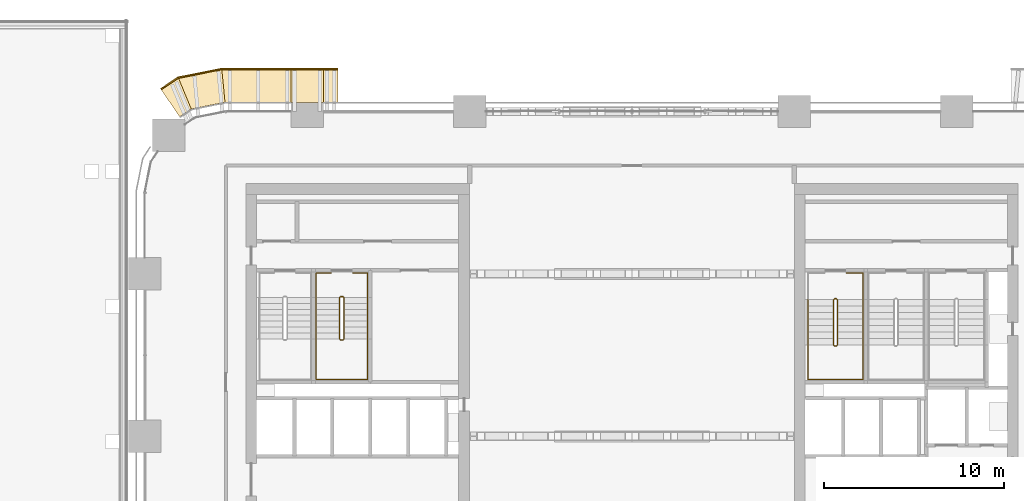
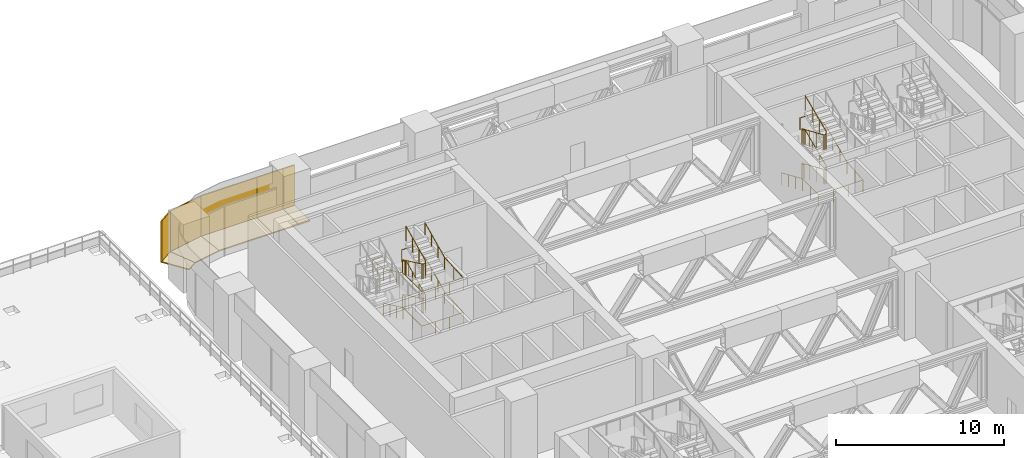
# One storey, part 33 of 35: 10 coverings, 5 railings.
"""IFC4 building model written with IfcOpenShell, lengths in metres."""

from ifc_helpers import new_model, si_unit, direction, frame, origin, origin_2d, place, context, subcontext, project, spatial, polyline, rectangle, circle, outline, extrude, material, layer, layer_set, type_object, element, save


model = new_model("IFC4")

# Units and contexts
model_context = context("Model", 3, precision=1e-05, world=origin(), true_north=direction((0.0, 1.0)))
body_context = subcontext(model_context, "Body", "Model", "MODEL_VIEW")
ifc_project = project(units=[si_unit("LENGTHUNIT", "METRE"), si_unit("AREAUNIT", "SQUARE_METRE"), si_unit("VOLUMEUNIT", "CUBIC_METRE"), si_unit("PLANEANGLEUNIT", "RADIAN"), si_unit("MASSUNIT", "GRAM", prefix="KILO")], contexts=[model_context])

# Site, building, storey
site_placement = place(None, origin())
site = spatial("IfcSite", under=ifc_project, at=site_placement, CompositionType="ELEMENT")
building_placement = place(site_placement, origin())
building = spatial("IfcBuilding", under=site, at=building_placement, Name="Tessera Arch", CompositionType="ELEMENT")
storey_placement = place(building_placement, frame((0.0, 0.0, 26.0)))
storey = spatial("IfcBuildingStorey", under=building, at=storey_placement, Name="L04", CompositionType="ELEMENT", Elevation=26.0)

# Coverings
ifc_material_1 = material(Name="Anodised aluminium pale metal", Category="aluminium")
ifc_layer_1 = layer(ifc_material_1, 0.080078125)
ifc_layer_set_1 = layer_set([ifc_layer_1], Name="Podium cornice fascia pale metal")
covering_type_1 = type_object("IfcCoveringType", Name="Podium cornice fascia pale metal", PredefinedType="CLADDING", material=ifc_layer_set_1)
covering_1_placement = place(storey_placement, frame((10.300048828125, 56.360107421875, 0.0), z_axis=(0.0, 0.0, 1.0), x_axis=(-1.0, 0.0, 0.0)))
element("IfcCovering", 1, at=covering_1_placement, inside=storey, type_object=covering_type_1, Name="Podium cornice fascia 23", PredefinedType="CLADDING", context=body_context, shape_type="SweptSolid", body=[
    extrude(rectangle(XDim=0.800048828125, YDim=0.080078125, at=origin_2d()), origin(), (0.0, 0.0, 1.0), 3.0),
])
covering_2_placement = place(storey_placement, frame((9.0, 56.360107421875, 0.0), z_axis=(0.0, 0.0, 1.0), x_axis=(-1.0, 0.0, 0.0)))
element("IfcCovering", 2, at=covering_2_placement, inside=storey, type_object=covering_type_1, Name="Podium cornice fascia 24", PredefinedType="CLADDING", context=body_context, shape_type="SweptSolid", body=[
    extrude(rectangle(XDim=1.800048828125, YDim=0.080078125, at=origin_2d()), origin(), (0.0, 0.0, 1.0), 3.0),
])
covering_3_placement = place(storey_placement, frame((6.181884765625, 56.360107421875, 0.0), z_axis=(0.0, 0.0, 1.0), x_axis=(-1.0, 0.0, 0.0)))
element("IfcCovering", 3, at=covering_3_placement, inside=storey, type_object=covering_type_1, Name="Podium cornice fascia 25", PredefinedType="CLADDING", context=body_context, shape_type="SweptSolid", body=[
    extrude(rectangle(XDim=3.836181640625, YDim=0.080078125, at=origin_2d()), origin(), (0.0, 0.0, 1.0), 3.0),
])
covering_4_placement = place(storey_placement, frame((3.056396484375, 56.119384765625, 0.0), z_axis=(0.0, 0.0, 1.0), x_axis=(-0.980790400576, -0.195064579403, 0.0)))
element("IfcCovering", 4, at=covering_4_placement, inside=storey, type_object=covering_type_1, Name="Podium cornice fascia 26", PredefinedType="CLADDING", context=body_context, shape_type="SweptSolid", body=[
    extrude(rectangle(XDim=2.4697265625, YDim=0.080078125, at=origin_2d()), origin(), (0.0, 0.0, 1.0), 3.0),
])
covering_5_placement = place(storey_placement, frame((1.378173828125, 55.5615234375, 0.0), z_axis=(0.0, 0.0, 1.0), x_axis=(-0.831410080669, -0.555659318073, 0.0)))
element("IfcCovering", 5, at=covering_5_placement, inside=storey, type_object=covering_type_1, Name="Podium cornice fascia 27", PredefinedType="CLADDING", context=body_context, shape_type="SweptSolid", body=[
    extrude(rectangle(XDim=1.15087890625, YDim=0.080078125, at=origin_2d()), origin(), (0.0, 0.0, 1.0), 3.0),
])
ifc_material_2 = material(Name="Anodised aluminium pale metal", Category="aluminium")
ifc_layer_2 = layer(ifc_material_2, 0.080078125)
ifc_layer_set_2 = layer_set([ifc_layer_2], Name="Podium cornice soffit pale metal")
covering_type_2 = type_object("IfcCoveringType", Name="Podium cornice soffit pale metal", PredefinedType="CLADDING", material=ifc_layer_set_2)
covering_6_placement = place(storey_placement, origin())
element("IfcCovering", 6, at=covering_6_placement, inside=storey, type_object=covering_type_2, Name="Podium cornice soffit 23", PredefinedType="CLADDING", context=body_context, shape_type="SweptSolid", body=[
    extrude(outline(polyline([(10.699951171875, 56.320068359375), (9.89990234375, 56.320068359375), (9.89990234375, 54.510009765625), (10.699951171875, 54.510009765625), (10.699951171875, 56.320068359375)])), origin(), (0.0, 0.0, 1.0), 0.080078125),
])
covering_7_placement = place(storey_placement, origin())
element("IfcCovering", 7, at=covering_7_placement, inside=storey, type_object=covering_type_2, Name="Podium cornice soffit 24", PredefinedType="CLADDING", context=body_context, shape_type="SweptSolid", body=[
    extrude(outline(polyline([(9.89990234375, 56.320068359375), (8.10009765625, 56.320068359375), (8.10009765625, 54.510009765625), (9.89990234375, 54.510009765625), (9.89990234375, 56.320068359375)])), origin(), (0.0, 0.0, 1.0), 0.080078125),
])
covering_8_placement = place(storey_placement, origin())
element("IfcCovering", 8, at=covering_8_placement, inside=storey, type_object=covering_type_2, Name="Podium cornice soffit 25", PredefinedType="CLADDING", context=body_context, shape_type="SweptSolid", body=[
    extrude(outline(polyline([(8.10009765625, 56.320068359375), (4.263671875, 56.320068359375), (4.44970703125, 54.510009765625), (8.10009765625, 54.510009765625), (8.10009765625, 56.320068359375)])), origin(), (0.0, 0.0, 1.0), 0.080078125),
])
covering_9_placement = place(storey_placement, origin())
element("IfcCovering", 9, at=covering_9_placement, inside=storey, type_object=covering_type_2, Name="Podium cornice soffit 26", PredefinedType="CLADDING", context=body_context, shape_type="SweptSolid", body=[
    extrude(outline(polyline([(4.271484375, 56.3203125), (1.84912109375, 55.838623046875), (2.578857421875, 54.137939453125), (4.44970703125, 54.510009765625), (4.271484375, 56.3203125)])), origin(), (0.0, 0.0, 1.0), 0.080078125),
])
covering_10_placement = place(storey_placement, origin())
element("IfcCovering", 10, at=covering_10_placement, inside=storey, type_object=covering_type_2, Name="Podium cornice soffit 27", PredefinedType="CLADDING", context=body_context, shape_type="SweptSolid", body=[
    extrude(outline(polyline([(1.8720703125, 55.84423828125), (0.9150390625, 55.204833984375), (1.9345703125, 53.707275390625), (2.578857421875, 54.137939453125), (1.8720703125, 55.84423828125)])), origin(), (0.0, 0.0, 1.0), 0.080078125),
])

# Railings
ifc_material_3 = material(Name="Painted steel balustrade", Category="steel")
railing_type_1 = type_object("IfcRailingType", Name="Stair guard 1100", PredefinedType="GUARDRAIL", material=ifc_material_3)
railing_1_placement = place(storey_placement, frame((38.219970703125, 43.6298828125, 0.0)))
element("IfcRailing", 11, at=railing_1_placement, inside=storey, type_object=railing_type_1, Name="L04 S1a stair guard 1", PredefinedType="GUARDRAIL", context=body_context, shape_type="SweptSolid", body=[
    extrude(circle(Radius=0.02392578125, at=origin_2d()), frame((-0.00390625, 0.0, 1.076171875), z_axis=(1.0, 0.0, 0.0), x_axis=(0.0, 1.0, 0.0)), (0.0, 0.0, 1.0), 0.1181640625),
    extrude(circle(Radius=0.02392578125, at=origin_2d()), frame((0.11279296875, 0.0009765625, 1.0732421875), z_axis=(-0.698682510115, -0.217273219609, 0.681641473283), x_axis=(0.296948579431, -0.954893471113, 0.0)), (0.0, 0.0, 1.0), 0.2373046875),
    extrude(circle(Radius=0.02392578125, at=origin_2d()), frame((-0.050048828125, -0.046142578125, 1.230712890625), z_axis=(0.0, -0.917324189904, 0.398141093855), x_axis=(1.0, 0.0, 0.0)), (0.0, 0.0, 1.0), 2.755126953125),
    extrude(circle(Radius=0.02392578125, at=origin_2d()), frame((-0.052978515625, -2.56689453125, 2.326171875), z_axis=(0.707106781187, -0.707106781187, 0.0), x_axis=(0.707106781187, 0.707106781187, 0.0)), (0.0, 0.0, 1.0), 0.078857421875),
    extrude(circle(Radius=0.02392578125, at=origin_2d()), frame((-0.00390625, -2.619873046875, 2.326171875), z_axis=(1.0, 0.0, 0.0), x_axis=(0.0, 1.0, 0.0)), (0.0, 0.0, 1.0), 0.1181640625),
    extrude(circle(Radius=0.02392578125, at=origin_2d()), frame((0.10888671875, -2.62109375, 2.322509765625), z_axis=(0.290469530425, 0.291893400672, 0.911276958196), x_axis=(-0.708833529934, 0.705375805398, 0.0)), (0.0, 0.0, 1.0), 0.179443359375),
    extrude(circle(Radius=0.02392578125, at=origin_2d()), frame((0.159912109375, -2.573486328125, 2.480712890625), z_axis=(0.0, 0.917324189904, 0.398141093855), x_axis=(-1.0, 0.0, 0.0)), (0.0, 0.0, 1.0), 2.755126953125),
    extrude(circle(Radius=0.02392578125, at=origin_2d()), frame((0.163818359375, -0.051025390625, 3.576171875), z_axis=(-0.954764847777, 0.297361876254, 0.0), x_axis=(-0.297361876254, -0.954764847777, 0.0)), (0.0, 0.0, 1.0), 0.175537109375),
    extrude(circle(Radius=0.02392578125, at=origin_2d()), frame((-0.00390625, 0.0, 3.576171875), z_axis=(1.0, 0.0, 0.0), x_axis=(0.0, 1.0, 0.0)), (0.0, 0.0, 1.0), 0.1181640625),
    extrude(circle(Radius=0.02392578125, at=origin_2d()), frame((0.11279296875, 0.0009765625, 3.5732421875), z_axis=(-0.698682510115, -0.217273219609, 0.681641473283), x_axis=(0.296948579431, -0.954893471113, 0.0)), (0.0, 0.0, 1.0), 0.2373046875),
    extrude(circle(Radius=0.02392578125, at=origin_2d()), frame((-0.050048828125, -0.046142578125, 3.730712890625), z_axis=(0.0, -0.917324189904, 0.398141093855), x_axis=(1.0, 0.0, 0.0)), (0.0, 0.0, 1.0), 2.755126953125),
    extrude(circle(Radius=0.02392578125, at=origin_2d()), frame((-0.052978515625, -2.56689453125, 4.826171875), z_axis=(0.707106781187, -0.707106781187, 0.0), x_axis=(0.707106781187, 0.707106781187, 0.0)), (0.0, 0.0, 1.0), 0.078857421875),
    extrude(circle(Radius=0.02392578125, at=origin_2d()), frame((-0.00390625, -2.619873046875, 4.826171875), z_axis=(1.0, 0.0, 0.0), x_axis=(0.0, 1.0, 0.0)), (0.0, 0.0, 1.0), 0.1181640625),
    extrude(circle(Radius=0.02392578125, at=origin_2d()), frame((0.10888671875, -2.62109375, 4.822509765625), z_axis=(0.290469530425, 0.291893400672, 0.911276958196), x_axis=(-0.708833529934, 0.705375805398, 0.0)), (0.0, 0.0, 1.0), 0.179443359375),
    extrude(circle(Radius=0.02392578125, at=origin_2d()), frame((0.159912109375, -2.573486328125, 4.980712890625), z_axis=(0.0, 0.917324189904, 0.398141093855), x_axis=(-1.0, 0.0, 0.0)), (0.0, 0.0, 1.0), 2.755126953125),
    extrude(circle(Radius=0.02099609375, at=origin_2d()), origin(), (0.0, 0.0, 1.0), 1.06396484375),
    extrude(circle(Radius=0.02099609375, at=origin_2d()), frame((0.110107421875, 0.0, 0.0)), (0.0, 0.0, 1.0), 1.06396484375),
    extrude(circle(Radius=0.02099609375, at=origin_2d()), frame((-0.050048828125, -0.0498046875, 0.15625)), (0.0, 0.0, 1.0), 1.06396484375),
    extrude(circle(Radius=0.02099609375, at=origin_2d()), frame((-0.050048828125, -0.889892578125, 0.520751953125)), (0.0, 0.0, 1.0), 1.06396484375),
    extrude(circle(Radius=0.02099609375, at=origin_2d()), frame((-0.050048828125, -1.729736328125, 0.885498046875)), (0.0, 0.0, 1.0), 1.06396484375),
    extrude(circle(Radius=0.02099609375, at=origin_2d()), frame((-0.050048828125, -2.56982421875, 1.25)), (0.0, 0.0, 1.0), 1.06396484375),
    extrude(circle(Radius=0.02099609375, at=origin_2d()), frame((0.0, -2.619873046875, 1.25)), (0.0, 0.0, 1.0), 1.06396484375),
    extrude(circle(Radius=0.02099609375, at=origin_2d()), frame((0.110107421875, -2.619873046875, 1.25)), (0.0, 0.0, 1.0), 1.06396484375),
    extrude(circle(Radius=0.02099609375, at=origin_2d()), frame((0.159912109375, -2.56982421875, 1.40625)), (0.0, 0.0, 1.0), 1.06396484375),
    extrude(circle(Radius=0.02099609375, at=origin_2d()), frame((0.159912109375, -1.729736328125, 1.770751953125)), (0.0, 0.0, 1.0), 1.06396484375),
    extrude(circle(Radius=0.02099609375, at=origin_2d()), frame((0.159912109375, -0.889892578125, 2.135498046875)), (0.0, 0.0, 1.0), 1.06396484375),
    extrude(circle(Radius=0.02099609375, at=origin_2d()), frame((0.159912109375, -0.0498046875, 2.5)), (0.0, 0.0, 1.0), 1.06396484375),
    extrude(circle(Radius=0.02099609375, at=origin_2d()), frame((0.0, 0.0, 2.5)), (0.0, 0.0, 1.0), 1.06396484375),
    extrude(circle(Radius=0.02099609375, at=origin_2d()), frame((0.110107421875, 0.0, 2.5)), (0.0, 0.0, 1.0), 1.06396484375),
    extrude(circle(Radius=0.02099609375, at=origin_2d()), frame((-0.050048828125, -0.0498046875, 2.65625)), (0.0, 0.0, 1.0), 1.06396484375),
    extrude(circle(Radius=0.02099609375, at=origin_2d()), frame((-0.050048828125, -0.889892578125, 3.020751953125)), (0.0, 0.0, 1.0), 1.06396484375),
    extrude(circle(Radius=0.02099609375, at=origin_2d()), frame((-0.050048828125, -1.729736328125, 3.385498046875)), (0.0, 0.0, 1.0), 1.06396484375),
    extrude(circle(Radius=0.02099609375, at=origin_2d()), frame((-0.050048828125, -2.56982421875, 3.75)), (0.0, 0.0, 1.0), 1.06396484375),
    extrude(circle(Radius=0.02099609375, at=origin_2d()), frame((0.0, -2.619873046875, 3.75)), (0.0, 0.0, 1.0), 1.06396484375),
    extrude(circle(Radius=0.02099609375, at=origin_2d()), frame((0.110107421875, -2.619873046875, 3.75)), (0.0, 0.0, 1.0), 1.06396484375),
    extrude(circle(Radius=0.02099609375, at=origin_2d()), frame((0.159912109375, -2.56982421875, 3.90625)), (0.0, 0.0, 1.0), 1.06396484375),
    extrude(circle(Radius=0.02099609375, at=origin_2d()), frame((0.159912109375, -1.729736328125, 4.270751953125)), (0.0, 0.0, 1.0), 1.06396484375),
    extrude(circle(Radius=0.02099609375, at=origin_2d()), frame((0.159912109375, -0.889892578125, 4.635498046875)), (0.0, 0.0, 1.0), 1.06396484375),
    extrude(circle(Radius=0.02099609375, at=origin_2d()), frame((0.159912109375, -0.0498046875, 5.0)), (0.0, 0.0, 1.0), 1.06396484375),
])
railing_2_placement = place(storey_placement, frame((10.85009765625, 43.75, 0.0)))
element("IfcRailing", 12, at=railing_2_placement, inside=storey, type_object=railing_type_1, Name="L04 S2b stair guard 1", PredefinedType="GUARDRAIL", context=body_context, shape_type="SweptSolid", body=[
    extrude(circle(Radius=0.02392578125, at=origin_2d()), frame((-0.00390625, 0.0, 1.076171875), z_axis=(1.0, 0.0, 0.0), x_axis=(0.0, 1.0, 0.0)), (0.0, 0.0, 1.0), 0.157958984375),
    extrude(circle(Radius=0.02392578125, at=origin_2d()), frame((0.153076171875, 0.000732421875, 1.07373046875), z_axis=(-0.77305925043, -0.19350078918, 0.604100024756), x_axis=(0.242814311512, -0.970072785993, 0.0)), (0.0, 0.0, 1.0), 0.2666015625),
    extrude(circle(Radius=0.02392578125, at=origin_2d()), frame((-0.050048828125, -0.04638671875, 1.23046875), z_axis=(0.0, -0.903811734687, 0.427930307694), x_axis=(1.0, 0.0, 0.0)), (0.0, 0.0, 1.0), 2.56396484375),
    extrude(circle(Radius=0.02392578125, at=origin_2d()), frame((-0.052978515625, -2.357177734375, 2.326171875), z_axis=(0.708833529934, -0.705375805398, 0.0), x_axis=(0.705375805398, 0.708833529934, 0.0)), (0.0, 0.0, 1.0), 0.07861328125),
    extrude(circle(Radius=0.02392578125, at=origin_2d()), frame((-0.00390625, -2.409912109375, 2.326171875), z_axis=(1.0, 0.0, 0.0), x_axis=(0.0, 1.0, 0.0)), (0.0, 0.0, 1.0), 0.157958984375),
    extrude(circle(Radius=0.02392578125, at=origin_2d()), frame((0.148681640625, -2.4111328125, 2.322509765625), z_axis=(0.291893400672, 0.290469530425, 0.911276958196), x_axis=(-0.705375805398, 0.708833529934, 0.0)), (0.0, 0.0, 1.0), 0.179443359375),
    extrude(circle(Radius=0.02392578125, at=origin_2d()), frame((0.199951171875, -2.36376953125, 2.48046875), z_axis=(0.0, 0.903811734687, 0.427930307694), x_axis=(-1.0, 0.0, 0.0)), (0.0, 0.0, 1.0), 2.56396484375),
    extrude(circle(Radius=0.02392578125, at=origin_2d()), frame((0.203857421875, -0.051025390625, 3.576171875), z_axis=(-0.970072785993, 0.242814311512, 0.0), x_axis=(-0.242814311512, -0.970072785993, 0.0)), (0.0, 0.0, 1.0), 0.214111328125),
    extrude(circle(Radius=0.02392578125, at=origin_2d()), frame((-0.00390625, 0.0, 3.576171875), z_axis=(1.0, 0.0, 0.0), x_axis=(0.0, 1.0, 0.0)), (0.0, 0.0, 1.0), 0.157958984375),
    extrude(circle(Radius=0.02392578125, at=origin_2d()), frame((0.153076171875, 0.000732421875, 3.57373046875), z_axis=(-0.77305925043, -0.19350078918, 0.604100024756), x_axis=(0.242814311512, -0.970072785993, 0.0)), (0.0, 0.0, 1.0), 0.2666015625),
    extrude(circle(Radius=0.02392578125, at=origin_2d()), frame((-0.050048828125, -0.04638671875, 3.73046875), z_axis=(0.0, -0.903811734687, 0.427930307694), x_axis=(1.0, 0.0, 0.0)), (0.0, 0.0, 1.0), 2.56396484375),
    extrude(circle(Radius=0.02392578125, at=origin_2d()), frame((-0.052978515625, -2.357177734375, 4.826171875), z_axis=(0.708833529934, -0.705375805398, 0.0), x_axis=(0.705375805398, 0.708833529934, 0.0)), (0.0, 0.0, 1.0), 0.07861328125),
    extrude(circle(Radius=0.02392578125, at=origin_2d()), frame((-0.00390625, -2.409912109375, 4.826171875), z_axis=(1.0, 0.0, 0.0), x_axis=(0.0, 1.0, 0.0)), (0.0, 0.0, 1.0), 0.157958984375),
    extrude(circle(Radius=0.02392578125, at=origin_2d()), frame((0.148681640625, -2.4111328125, 4.822509765625), z_axis=(0.291893400672, 0.290469530425, 0.911276958196), x_axis=(-0.705375805398, 0.708833529934, 0.0)), (0.0, 0.0, 1.0), 0.179443359375),
    extrude(circle(Radius=0.02392578125, at=origin_2d()), frame((0.199951171875, -2.36376953125, 4.98046875), z_axis=(0.0, 0.903811734687, 0.427930307694), x_axis=(-1.0, 0.0, 0.0)), (0.0, 0.0, 1.0), 2.56396484375),
    extrude(circle(Radius=0.02099609375, at=origin_2d()), origin(), (0.0, 0.0, 1.0), 1.06396484375),
    extrude(circle(Radius=0.02099609375, at=origin_2d()), frame((0.14990234375, 0.0, 0.0)), (0.0, 0.0, 1.0), 1.06396484375),
    extrude(circle(Radius=0.02099609375, at=origin_2d()), frame((-0.050048828125, -0.050048828125, 0.15625)), (0.0, 0.0, 1.0), 1.06396484375),
    extrude(circle(Radius=0.02099609375, at=origin_2d()), frame((-0.050048828125, -0.820068359375, 0.520751953125)), (0.0, 0.0, 1.0), 1.06396484375),
    extrude(circle(Radius=0.02099609375, at=origin_2d()), frame((-0.050048828125, -1.590087890625, 0.885498046875)), (0.0, 0.0, 1.0), 1.06396484375),
    extrude(circle(Radius=0.02099609375, at=origin_2d()), frame((-0.050048828125, -2.360107421875, 1.25)), (0.0, 0.0, 1.0), 1.06396484375),
    extrude(circle(Radius=0.02099609375, at=origin_2d()), frame((0.0, -2.409912109375, 1.25)), (0.0, 0.0, 1.0), 1.06396484375),
    extrude(circle(Radius=0.02099609375, at=origin_2d()), frame((0.14990234375, -2.409912109375, 1.25)), (0.0, 0.0, 1.0), 1.06396484375),
    extrude(circle(Radius=0.02099609375, at=origin_2d()), frame((0.199951171875, -2.360107421875, 1.40625)), (0.0, 0.0, 1.0), 1.06396484375),
    extrude(circle(Radius=0.02099609375, at=origin_2d()), frame((0.199951171875, -1.590087890625, 1.770751953125)), (0.0, 0.0, 1.0), 1.06396484375),
    extrude(circle(Radius=0.02099609375, at=origin_2d()), frame((0.199951171875, -0.820068359375, 2.135498046875)), (0.0, 0.0, 1.0), 1.06396484375),
    extrude(circle(Radius=0.02099609375, at=origin_2d()), frame((0.199951171875, -0.050048828125, 2.5)), (0.0, 0.0, 1.0), 1.06396484375),
    extrude(circle(Radius=0.02099609375, at=origin_2d()), frame((0.0, 0.0, 2.5)), (0.0, 0.0, 1.0), 1.06396484375),
    extrude(circle(Radius=0.02099609375, at=origin_2d()), frame((0.14990234375, 0.0, 2.5)), (0.0, 0.0, 1.0), 1.06396484375),
    extrude(circle(Radius=0.02099609375, at=origin_2d()), frame((-0.050048828125, -0.050048828125, 2.65625)), (0.0, 0.0, 1.0), 1.06396484375),
    extrude(circle(Radius=0.02099609375, at=origin_2d()), frame((-0.050048828125, -0.820068359375, 3.020751953125)), (0.0, 0.0, 1.0), 1.06396484375),
    extrude(circle(Radius=0.02099609375, at=origin_2d()), frame((-0.050048828125, -1.590087890625, 3.385498046875)), (0.0, 0.0, 1.0), 1.06396484375),
    extrude(circle(Radius=0.02099609375, at=origin_2d()), frame((-0.050048828125, -2.360107421875, 3.75)), (0.0, 0.0, 1.0), 1.06396484375),
    extrude(circle(Radius=0.02099609375, at=origin_2d()), frame((0.0, -2.409912109375, 3.75)), (0.0, 0.0, 1.0), 1.06396484375),
    extrude(circle(Radius=0.02099609375, at=origin_2d()), frame((0.14990234375, -2.409912109375, 3.75)), (0.0, 0.0, 1.0), 1.06396484375),
    extrude(circle(Radius=0.02099609375, at=origin_2d()), frame((0.199951171875, -2.360107421875, 3.90625)), (0.0, 0.0, 1.0), 1.06396484375),
    extrude(circle(Radius=0.02099609375, at=origin_2d()), frame((0.199951171875, -1.590087890625, 4.270751953125)), (0.0, 0.0, 1.0), 1.06396484375),
    extrude(circle(Radius=0.02099609375, at=origin_2d()), frame((0.199951171875, -0.820068359375, 4.635498046875)), (0.0, 0.0, 1.0), 1.06396484375),
    extrude(circle(Radius=0.02099609375, at=origin_2d()), frame((0.199951171875, -0.050048828125, 5.0)), (0.0, 0.0, 1.0), 1.06396484375),
])
ifc_material_4 = material(Name="Painted steel handrail", Category="steel")
railing_type_2 = type_object("IfcRailingType", Name="Stair handrail 900", PredefinedType="HANDRAIL", material=ifc_material_4)
railing_3_placement = place(storey_placement, frame((36.75, 43.580078125, 0.15625)))
element("IfcRailing", 13, at=railing_3_placement, inside=storey, type_object=railing_type_2, Name="L04 S1a stair handrail", PredefinedType="HANDRAIL", context=body_context, shape_type="SweptSolid", body=[
    extrude(circle(Radius=0.02392578125, at=origin_2d()), frame((0.0, 0.003662109375, 0.874267578125), z_axis=(0.0, -0.917324189904, 0.398141093855), x_axis=(1.0, 0.0, 0.0)), (0.0, 0.0, 1.0), 2.755126953125),
    extrude(circle(Radius=0.02392578125, at=origin_2d()), frame((0.0, -2.51611328125, 1.9697265625), z_axis=(0.0, -1.0, 0.0), x_axis=(1.0, 0.0, 0.0)), (0.0, 0.0, 1.0), 1.918212890625),
    extrude(circle(Radius=0.02392578125, at=origin_2d()), frame((-0.00390625, -4.43017578125, 1.9697265625), z_axis=(1.0, 0.0, 0.0), x_axis=(0.0, 1.0, 0.0)), (0.0, 0.0, 1.0), 3.05810546875),
    extrude(circle(Radius=0.02392578125, at=origin_2d()), frame((3.050048828125, -4.43408203125, 1.96923828125), z_axis=(0.0, 0.996671109807, 0.081527289146), x_axis=(-1.0, 0.0, 0.0)), (0.0, 0.0, 1.0), 1.924560546875),
    extrude(circle(Radius=0.02392578125, at=origin_2d()), frame((3.050048828125, -2.523681640625, 2.124267578125), z_axis=(0.0, 0.917324189904, 0.398141093855), x_axis=(-1.0, 0.0, 0.0)), (0.0, 0.0, 1.0), 2.755126953125),
    extrude(circle(Radius=0.02392578125, at=origin_2d()), frame((3.050048828125, -0.00390625, 3.2197265625), z_axis=(0.0, 1.0, 0.0), x_axis=(-1.0, 0.0, 0.0)), (0.0, 0.0, 1.0), 1.47802734375),
    extrude(circle(Radius=0.02392578125, at=origin_2d()), frame((3.053955078125, 1.469970703125, 3.2197265625), z_axis=(-1.0, 0.0, 0.0), x_axis=(0.0, -1.0, 0.0)), (0.0, 0.0, 1.0), 0.93310546875),
    extrude(circle(Radius=0.02099609375, at=origin_2d()), origin(), (0.0, 0.0, 1.0), 0.86376953125),
    extrude(circle(Radius=0.02099609375, at=origin_2d()), frame((0.0, -0.840087890625, 0.364501953125)), (0.0, 0.0, 1.0), 0.86376953125),
    extrude(circle(Radius=0.02099609375, at=origin_2d()), frame((0.0, -1.679931640625, 0.729248046875)), (0.0, 0.0, 1.0), 0.86376953125),
    extrude(circle(Radius=0.02099609375, at=origin_2d()), frame((0.0, -2.52001953125, 1.09375)), (0.0, 0.0, 1.0), 0.86376953125),
    extrude(circle(Radius=0.02099609375, at=origin_2d()), frame((0.0, -3.47509765625, 1.09375)), (0.0, 0.0, 1.0), 0.86376953125),
    extrude(circle(Radius=0.02099609375, at=origin_2d()), frame((0.0, -4.43017578125, 1.09375)), (0.0, 0.0, 1.0), 0.86376953125),
    extrude(circle(Radius=0.02099609375, at=origin_2d()), frame((1.0166015625, -4.43017578125, 1.09375)), (0.0, 0.0, 1.0), 0.86376953125),
    extrude(circle(Radius=0.02099609375, at=origin_2d()), frame((2.033447265625, -4.43017578125, 1.09375)), (0.0, 0.0, 1.0), 0.86376953125),
    extrude(circle(Radius=0.02099609375, at=origin_2d()), frame((3.050048828125, -4.43017578125, 1.09375)), (0.0, 0.0, 1.0), 0.86376953125),
    extrude(circle(Radius=0.02099609375, at=origin_2d()), frame((3.050048828125, -3.47509765625, 1.171875)), (0.0, 0.0, 1.0), 0.86376953125),
    extrude(circle(Radius=0.02099609375, at=origin_2d()), frame((3.050048828125, -2.52001953125, 1.25)), (0.0, 0.0, 1.0), 0.86376953125),
    extrude(circle(Radius=0.02099609375, at=origin_2d()), frame((3.050048828125, -1.679931640625, 1.614501953125)), (0.0, 0.0, 1.0), 0.86376953125),
    extrude(circle(Radius=0.02099609375, at=origin_2d()), frame((3.050048828125, -0.840087890625, 1.979248046875)), (0.0, 0.0, 1.0), 0.86376953125),
    extrude(circle(Radius=0.02099609375, at=origin_2d()), frame((3.050048828125, 0.0, 2.34375)), (0.0, 0.0, 1.0), 0.86376953125),
    extrude(circle(Radius=0.02099609375, at=origin_2d()), frame((3.050048828125, 0.73486328125, 2.34375)), (0.0, 0.0, 1.0), 0.86376953125),
    extrude(circle(Radius=0.02099609375, at=origin_2d()), frame((3.050048828125, 1.469970703125, 2.34375)), (0.0, 0.0, 1.0), 0.86376953125),
    extrude(circle(Radius=0.02099609375, at=origin_2d()), frame((2.125, 1.469970703125, 2.34375)), (0.0, 0.0, 1.0), 0.86376953125),
])
railing_4_placement = place(storey_placement, frame((9.5, 43.699951171875, 0.15625)))
element("IfcRailing", 14, at=railing_4_placement, inside=storey, type_object=railing_type_2, Name="L04 S2b stair handrail", PredefinedType="HANDRAIL", context=body_context, shape_type="SweptSolid", body=[
    extrude(circle(Radius=0.02392578125, at=origin_2d()), frame((0.0, 0.003662109375, 0.8740234375), z_axis=(0.0, -0.903811734687, 0.427930307694), x_axis=(1.0, 0.0, 0.0)), (0.0, 0.0, 1.0), 2.56396484375),
    extrude(circle(Radius=0.02392578125, at=origin_2d()), frame((0.0, -2.30615234375, 1.9697265625), z_axis=(0.0, -1.0, 0.0), x_axis=(1.0, 0.0, 0.0)), (0.0, 0.0, 1.0), 2.248046875),
    extrude(circle(Radius=0.02392578125, at=origin_2d()), frame((-0.00390625, -4.550048828125, 1.9697265625), z_axis=(1.0, 0.0, 0.0), x_axis=(0.0, 1.0, 0.0)), (0.0, 0.0, 1.0), 2.858154296875),
    extrude(circle(Radius=0.02392578125, at=origin_2d()), frame((2.85009765625, -4.553955078125, 1.96923828125), z_axis=(0.0, 0.997575978536, 0.069585681337), x_axis=(-1.0, 0.0, 0.0)), (0.0, 0.0, 1.0), 2.25341796875),
    extrude(circle(Radius=0.02392578125, at=origin_2d()), frame((2.85009765625, -2.313720703125, 2.1240234375), z_axis=(0.0, 0.903811734687, 0.427930307694), x_axis=(-1.0, 0.0, 0.0)), (0.0, 0.0, 1.0), 2.56396484375),
    extrude(circle(Radius=0.02392578125, at=origin_2d()), frame((2.85009765625, -0.00390625, 3.2197265625), z_axis=(0.0, 1.0, 0.0), x_axis=(-1.0, 0.0, 0.0)), (0.0, 0.0, 1.0), 1.358154296875),
    extrude(circle(Radius=0.02392578125, at=origin_2d()), frame((2.85400390625, 1.35009765625, 3.2197265625), z_axis=(-1.0, 0.0, 0.0), x_axis=(0.0, -1.0, 0.0)), (0.0, 0.0, 1.0), 0.833251953125),
    extrude(circle(Radius=0.02099609375, at=origin_2d()), origin(), (0.0, 0.0, 1.0), 0.86376953125),
    extrude(circle(Radius=0.02099609375, at=origin_2d()), frame((0.0, -0.77001953125, 0.364501953125)), (0.0, 0.0, 1.0), 0.86376953125),
    extrude(circle(Radius=0.02099609375, at=origin_2d()), frame((0.0, -1.5400390625, 0.729248046875)), (0.0, 0.0, 1.0), 0.86376953125),
    extrude(circle(Radius=0.02099609375, at=origin_2d()), frame((0.0, -2.31005859375, 1.09375)), (0.0, 0.0, 1.0), 0.86376953125),
    extrude(circle(Radius=0.02099609375, at=origin_2d()), frame((0.0, -3.43017578125, 1.09375)), (0.0, 0.0, 1.0), 0.86376953125),
    extrude(circle(Radius=0.02099609375, at=origin_2d()), frame((0.0, -4.550048828125, 1.09375)), (0.0, 0.0, 1.0), 0.86376953125),
    extrude(circle(Radius=0.02099609375, at=origin_2d()), frame((0.949951171875, -4.550048828125, 1.09375)), (0.0, 0.0, 1.0), 0.86376953125),
    extrude(circle(Radius=0.02099609375, at=origin_2d()), frame((1.900146484375, -4.550048828125, 1.09375)), (0.0, 0.0, 1.0), 0.86376953125),
    extrude(circle(Radius=0.02099609375, at=origin_2d()), frame((2.85009765625, -4.550048828125, 1.09375)), (0.0, 0.0, 1.0), 0.86376953125),
    extrude(circle(Radius=0.02099609375, at=origin_2d()), frame((2.85009765625, -3.43017578125, 1.171875)), (0.0, 0.0, 1.0), 0.86376953125),
    extrude(circle(Radius=0.02099609375, at=origin_2d()), frame((2.85009765625, -2.31005859375, 1.25)), (0.0, 0.0, 1.0), 0.86376953125),
    extrude(circle(Radius=0.02099609375, at=origin_2d()), frame((2.85009765625, -1.5400390625, 1.614501953125)), (0.0, 0.0, 1.0), 0.86376953125),
    extrude(circle(Radius=0.02099609375, at=origin_2d()), frame((2.85009765625, -0.77001953125, 1.979248046875)), (0.0, 0.0, 1.0), 0.86376953125),
    extrude(circle(Radius=0.02099609375, at=origin_2d()), frame((2.85009765625, 0.0, 2.34375)), (0.0, 0.0, 1.0), 0.86376953125),
    extrude(circle(Radius=0.02099609375, at=origin_2d()), frame((2.85009765625, 0.675048828125, 2.34375)), (0.0, 0.0, 1.0), 0.86376953125),
    extrude(circle(Radius=0.02099609375, at=origin_2d()), frame((2.85009765625, 1.35009765625, 2.34375)), (0.0, 0.0, 1.0), 0.86376953125),
    extrude(circle(Radius=0.02099609375, at=origin_2d()), frame((2.02490234375, 1.35009765625, 2.34375)), (0.0, 0.0, 1.0), 0.86376953125),
])
railing_5_placement = place(storey_placement, frame((10.324951171875, 45.050048828125, 2.5)))
element("IfcRailing", 15, at=railing_5_placement, inside=storey, type_object=railing_type_2, Name="L04 S2b stair handrail 2", PredefinedType="HANDRAIL", context=body_context, shape_type="SweptSolid", body=[
    extrude(circle(Radius=0.02392578125, at=origin_2d()), frame((0.00390625, 0.0, 0.8759765625), z_axis=(-1.0, 0.0, 0.0), x_axis=(0.0, -1.0, 0.0)), (0.0, 0.0, 1.0), 0.8330078125),
    extrude(circle(Radius=0.02392578125, at=origin_2d()), frame((-0.824951171875, 0.00390625, 0.87548828125), z_axis=(0.0, -0.99336954172, 0.114965010253), x_axis=(1.0, 0.0, 0.0)), (0.0, 0.0, 1.0), 1.3671875),
    extrude(circle(Radius=0.02392578125, at=origin_2d()), frame((-0.824951171875, -1.346435546875, 1.0302734375), z_axis=(0.0, -0.903811734687, 0.427930307694), x_axis=(1.0, 0.0, 0.0)), (0.0, 0.0, 1.0), 2.56396484375),
    extrude(circle(Radius=0.02392578125, at=origin_2d()), frame((-0.824951171875, -3.65625, 2.1259765625), z_axis=(0.0, -1.0, 0.0), x_axis=(1.0, 0.0, 0.0)), (0.0, 0.0, 1.0), 2.248046875),
    extrude(circle(Radius=0.02392578125, at=origin_2d()), frame((-0.828857421875, -5.900146484375, 2.1259765625), z_axis=(1.0, 0.0, 0.0), x_axis=(0.0, 1.0, 0.0)), (0.0, 0.0, 1.0), 2.858154296875),
    extrude(circle(Radius=0.02392578125, at=origin_2d()), frame((2.025146484375, -5.904052734375, 2.12548828125), z_axis=(0.0, 0.997575978536, 0.069585681337), x_axis=(-1.0, 0.0, 0.0)), (0.0, 0.0, 1.0), 2.25341796875),
    extrude(circle(Radius=0.02392578125, at=origin_2d()), frame((2.025146484375, -3.663818359375, 2.2802734375), z_axis=(0.0, 0.903811734687, 0.427930307694), x_axis=(-1.0, 0.0, 0.0)), (0.0, 0.0, 1.0), 2.56396484375),
    extrude(circle(Radius=0.02099609375, at=origin_2d()), origin(), (0.0, 0.0, 1.0), 0.86376953125),
    extrude(circle(Radius=0.02099609375, at=origin_2d()), frame((-0.824951171875, 0.0, 0.0)), (0.0, 0.0, 1.0), 0.86376953125),
    extrude(circle(Radius=0.02099609375, at=origin_2d()), frame((-0.824951171875, -0.675048828125, 0.078125)), (0.0, 0.0, 1.0), 0.86376953125),
    extrude(circle(Radius=0.02099609375, at=origin_2d()), frame((-0.824951171875, -1.35009765625, 0.15625)), (0.0, 0.0, 1.0), 0.86376953125),
    extrude(circle(Radius=0.02099609375, at=origin_2d()), frame((-0.824951171875, -2.1201171875, 0.520751953125)), (0.0, 0.0, 1.0), 0.86376953125),
    extrude(circle(Radius=0.02099609375, at=origin_2d()), frame((-0.824951171875, -2.89013671875, 0.885498046875)), (0.0, 0.0, 1.0), 0.86376953125),
    extrude(circle(Radius=0.02099609375, at=origin_2d()), frame((-0.824951171875, -3.66015625, 1.25)), (0.0, 0.0, 1.0), 0.86376953125),
    extrude(circle(Radius=0.02099609375, at=origin_2d()), frame((-0.824951171875, -4.7802734375, 1.25)), (0.0, 0.0, 1.0), 0.86376953125),
    extrude(circle(Radius=0.02099609375, at=origin_2d()), frame((-0.824951171875, -5.900146484375, 1.25)), (0.0, 0.0, 1.0), 0.86376953125),
    extrude(circle(Radius=0.02099609375, at=origin_2d()), frame((0.125, -5.900146484375, 1.25)), (0.0, 0.0, 1.0), 0.86376953125),
    extrude(circle(Radius=0.02099609375, at=origin_2d()), frame((1.0751953125, -5.900146484375, 1.25)), (0.0, 0.0, 1.0), 0.86376953125),
    extrude(circle(Radius=0.02099609375, at=origin_2d()), frame((2.025146484375, -5.900146484375, 1.25)), (0.0, 0.0, 1.0), 0.86376953125),
    extrude(circle(Radius=0.02099609375, at=origin_2d()), frame((2.025146484375, -4.7802734375, 1.328125)), (0.0, 0.0, 1.0), 0.86376953125),
    extrude(circle(Radius=0.02099609375, at=origin_2d()), frame((2.025146484375, -3.66015625, 1.40625)), (0.0, 0.0, 1.0), 0.86376953125),
    extrude(circle(Radius=0.02099609375, at=origin_2d()), frame((2.025146484375, -2.89013671875, 1.770751953125)), (0.0, 0.0, 1.0), 0.86376953125),
    extrude(circle(Radius=0.02099609375, at=origin_2d()), frame((2.025146484375, -2.1201171875, 2.135498046875)), (0.0, 0.0, 1.0), 0.86376953125),
    extrude(circle(Radius=0.02099609375, at=origin_2d()), frame((2.025146484375, -1.35009765625, 2.5)), (0.0, 0.0, 1.0), 0.86376953125),
])

save(model, "model.ifc")
